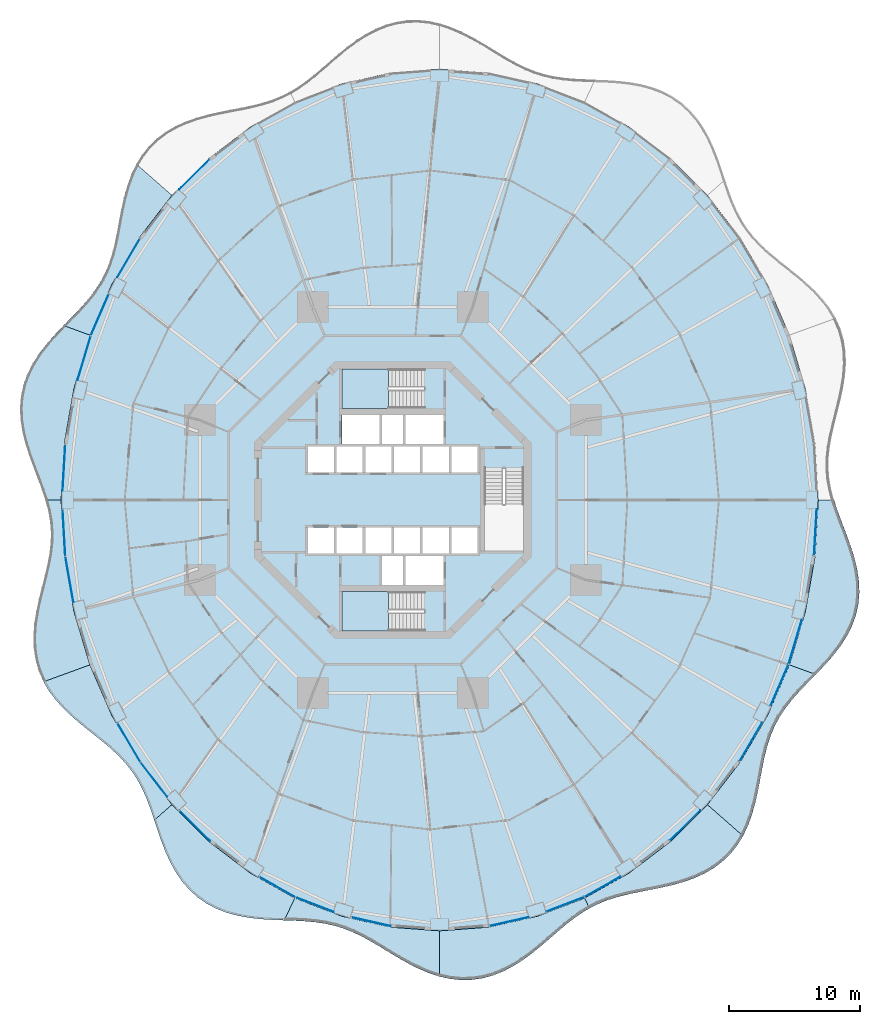
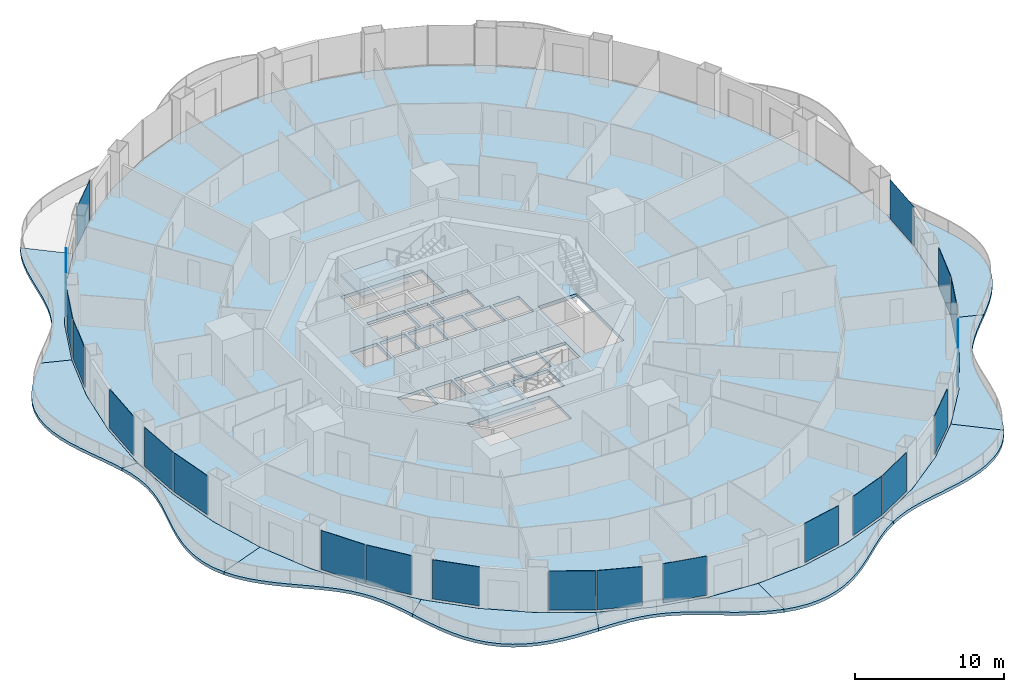
# One storey, part 12 of 22: 21 plates, 13 slabs, 23 elements without a shape of their own.
"""IFC4 building model written with IfcOpenShell, lengths in metres."""

import ifcopenshell
import ifcopenshell.guid

model = None  # the IFC model being written
_history = None  # IfcOwnerHistory: only IFC2X3 demands one
_inside = {}  # id of a spatial element -> (the spatial element, [elements in it])
_under = {}  # id of a project, library or spatial element -> (it, [spatial elements below it])
_declared = {}  # id of a project -> (the project, [libraries it declares])
_typed = {}  # id of a type object -> (the type object, [elements of that type])
_made_of = {}  # id of a material, layer set ... -> (it, [elements and type objects made of it])


def new_model(schema):
    """Start an empty IFC model of exactly this schema.

    Asked for "IFC4X3", IfcOpenShell would pick the latest addendum, in which some entities
    have other attributes; the version numbers below select the first issue.
    IFC2X3 requires an IfcOwnerHistory on every rooted entity: one is made here for all.
    """
    global model, _history
    if schema == "IFC4X3":
        model = ifcopenshell.file(schema_version=(4, 3, 0, 0))
    else:
        model = ifcopenshell.file(schema=schema)
    _inside.clear()
    _under.clear()
    _declared.clear()
    _typed.clear()
    _made_of.clear()
    _history = None
    if model.schema == "IFC2X3":
        org = make("IfcOrganization", Name="unknown")
        user = make(
            "IfcPersonAndOrganization",
            ThePerson=make("IfcPerson", FamilyName="unknown"),
            TheOrganization=org,
        )
        app = make(
            "IfcApplication",
            ApplicationDeveloper=org,
            Version="unknown",
            ApplicationFullName="unknown",
            ApplicationIdentifier="unknown",
        )
        _history = make(
            "IfcOwnerHistory",
            OwningUser=user,
            OwningApplication=app,
            ChangeAction="ADDED",
            CreationDate=0,
        )
    return model


def make(cls, **values):
    """One entity of the class cls with the attributes given. An attribute that is None is left unset."""
    return model.create_entity(
        cls, **{name: value for name, value in values.items() if value is not None}
    )


def rooted(cls, **values):
    """An entity with a GlobalId (a new one), such as an element, a storey or a relation."""
    return make(cls, GlobalId=ifcopenshell.guid.new(), OwnerHistory=_history, **values)


def si_unit(unit_type, name, prefix=None):
    """IfcSIUnit, for example si_unit("LENGTHUNIT", "METRE", prefix="MILLI")."""
    return make("IfcSIUnit", UnitType=unit_type, Prefix=prefix, Name=name)


def assignment(units):
    """IfcUnitAssignment: the units of a project."""
    return None if units is None else make("IfcUnitAssignment", Units=units)


def point(xyz):
    """IfcCartesianPoint."""
    return None if xyz is None else make("IfcCartesianPoint", Coordinates=xyz)


def direction(xyz):
    """IfcDirection."""
    return None if xyz is None else make("IfcDirection", DirectionRatios=xyz)


def frame(location, z_axis=None, x_axis=None):
    """IfcAxis2Placement3D, a coordinate frame: its origin and axes. An axis left out is left unset."""
    return make(
        "IfcAxis2Placement3D",
        Location=point(location),
        Axis=direction(z_axis),
        RefDirection=direction(x_axis),
    )


def frame_2d(location, x_axis=None):
    """IfcAxis2Placement2D, a coordinate frame in the plane: its origin and x axis."""
    return make(
        "IfcAxis2Placement2D", Location=point(location), RefDirection=direction(x_axis)
    )


def origin():
    """The frame at (0, 0, 0) with its axes left unset."""
    return frame((0.0, 0.0, 0.0))


def origin_2d():
    """The frame at (0, 0) in the plane with its x axis left unset."""
    return frame_2d((0.0, 0.0))


def place(relative_to, where):
    """IfcLocalPlacement: puts the frame where relative to a parent placement (None: the world)."""
    return make(
        "IfcLocalPlacement", PlacementRelTo=relative_to, RelativePlacement=where
    )


def context(
    kind, dimensions, precision=None, world=None, true_north=None, identifier=None
):
    """IfcGeometricRepresentationContext, for example the 3D "Model" context."""
    return make(
        "IfcGeometricRepresentationContext",
        ContextIdentifier=identifier,
        ContextType=kind,
        CoordinateSpaceDimension=dimensions,
        Precision=precision,
        WorldCoordinateSystem=world,
        TrueNorth=true_north,
    )


def subcontext(parent, identifier, kind, view, scale=None):
    """IfcGeometricRepresentationSubContext, for example "Body" below "Model"."""
    return make(
        "IfcGeometricRepresentationSubContext",
        ContextIdentifier=identifier,
        ContextType=kind,
        ParentContext=parent,
        TargetScale=scale,
        TargetView=view,
    )


def project(units=None, contexts=None):
    """IfcProject with its units and contexts."""
    return rooted(
        "IfcProject",
        Name="project",
        RepresentationContexts=contexts,
        UnitsInContext=assignment(units),
    )


def spatial(cls, under=None, at=None, **own):
    """A site, building, storey or space (cls), placed at a placement, below another one or the project."""
    s = rooted(cls, ObjectPlacement=at, **own)
    if under is not None:
        _under.setdefault(under.id(), (under, []))[1].append(s)
    return s


def polyline(points):
    """IfcPolyline through the points."""
    return make("IfcPolyline", Points=[point(p) for p in points])


def profile(cls, at=None, kind="AREA", **sizes):
    """A parametric profile (cls). Its sizes go by their IFC names, for example OverallWidth=200.0."""
    return make(cls, ProfileType=kind, Position=at, **sizes)


def rectangle(**sizes):
    """IfcRectangleProfileDef."""
    return profile("IfcRectangleProfileDef", **sizes)


def outline(outer, holes=None, kind="AREA"):
    """IfcArbitraryClosedProfileDef: a profile drawn as a closed curve; with holes, ...WithVoids."""
    if holes is None:
        return make("IfcArbitraryClosedProfileDef", ProfileType=kind, OuterCurve=outer)
    return make(
        "IfcArbitraryProfileDefWithVoids",
        ProfileType=kind,
        OuterCurve=outer,
        InnerCurves=holes,
    )


def extrude(swept, where, along, depth):
    """IfcExtrudedAreaSolid: the profile swept, set in the frame where, extruded along a direction by depth."""
    return make(
        "IfcExtrudedAreaSolid",
        SweptArea=swept,
        Position=where,
        ExtrudedDirection=direction(along),
        Depth=depth,
    )


def shape(context_of_items, identifier, shape_type, items):
    """IfcShapeRepresentation: the items that make up one representation, for example the "Body"."""
    return make(
        "IfcShapeRepresentation",
        ContextOfItems=context_of_items,
        RepresentationIdentifier=identifier,
        RepresentationType=shape_type,
        Items=items,
    )


def material(Name=None, Category=None):
    """IfcMaterial."""
    return make("IfcMaterial", Name=Name, Category=Category)


def layer(
    of_material, thickness, ventilated=None, Name=None, Category=None, Priority=None
):
    """IfcMaterialLayer: one layer of a wall or slab, of a material (None: an air gap)."""
    return make(
        "IfcMaterialLayer",
        Material=of_material,
        LayerThickness=thickness,
        IsVentilated=ventilated,
        Name=Name,
        Category=Category,
        Priority=Priority,
    )


def layer_set(layers, Name=None):
    """IfcMaterialLayerSet."""
    return make("IfcMaterialLayerSet", MaterialLayers=layers, LayerSetName=Name)


def made_of(thing, what):
    """Note that an element or type object is made of a material, layer set ...; save() writes the relation."""
    if what is not None:
        _made_of.setdefault(what.id(), (what, []))[1].append(thing)
    return thing


def type_object(cls, material=None, **own):
    """A type object (cls), such as IfcWallType, which elements share."""
    return made_of(rooted(cls, **own), material)


def element(
    cls,
    number,
    at=None,
    inside=None,
    cuts=None,
    type_object=None,
    material=None,
    context=None,
    identifier="Body",
    shape_type=None,
    held_by="IfcProductDefinitionShape",
    body=None,
    shapes=None,
    **own,
):
    """One element of the class cls, such as IfcWall. Its Tag is "e" and its number.

    at: its placement. inside: the storey or other place that contains it. cuts: it is an
    opening in that element (IfcRelVoidsElement). A single representation is given by context,
    identifier, shape_type and body (its items); several are given by shapes. held_by: the class
    of the entity that holds the representations. save() writes the other relations.
    """
    e = rooted(cls, Tag="e%d" % number, ObjectPlacement=at, **own)
    if body is not None:
        shapes = [shape(context, identifier, shape_type, body)]
    if shapes is not None:
        e.Representation = make(held_by, Representations=shapes)
    if inside is not None:
        _inside.setdefault(inside.id(), (inside, []))[1].append(e)
    if cuts is not None:
        rooted(
            "IfcRelVoidsElement", RelatingBuildingElement=cuts, RelatedOpeningElement=e
        )
    if type_object is not None:
        _typed.setdefault(type_object.id(), (type_object, []))[1].append(e)
    return made_of(e, material)


def aggregate(whole, parts):
    """IfcRelAggregates: a whole, such as a stair, and the parts it consists of."""
    return rooted("IfcRelAggregates", RelatingObject=whole, RelatedObjects=parts)


def save(model, path):
    """Write the relations noted so far, then the file.

    IfcRelAggregates (storeys below a building ...), IfcRelContainedInSpatialStructure (elements
    in a storey), IfcRelDefinesByType, IfcRelAssociatesMaterial and IfcRelDeclares: one each for
    every whole, place, type object, material and project.
    """
    for whole, parts in _under.values():
        aggregate(whole, parts)
    for where, things in _inside.values():
        rooted(
            "IfcRelContainedInSpatialStructure",
            RelatedElements=things,
            RelatingStructure=where,
        )
    for kind, things in _typed.values():
        rooted("IfcRelDefinesByType", RelatedObjects=things, RelatingType=kind)
    for what, things in _made_of.values():
        rooted("IfcRelAssociatesMaterial", RelatedObjects=things, RelatingMaterial=what)
    for by, libraries in _declared.values():
        rooted("IfcRelDeclares", RelatingContext=by, RelatedDefinitions=libraries)
    model.write(path)


model = new_model("IFC4")

# Units and contexts
model_context = context("Model", 3, precision=1e-05, world=origin(), true_north=direction((0.0, 1.0)))
body_context = subcontext(model_context, "Body", "Model", "MODEL_VIEW")
ifc_project = project(units=[si_unit("LENGTHUNIT", "METRE"), si_unit("AREAUNIT", "SQUARE_METRE"), si_unit("VOLUMEUNIT", "CUBIC_METRE"), si_unit("PLANEANGLEUNIT", "RADIAN"), si_unit("MASSUNIT", "GRAM", prefix="KILO")], contexts=[model_context])

# Site, building, storey
site_placement = place(None, origin())
site = spatial("IfcSite", under=ifc_project, at=site_placement, CompositionType="ELEMENT")
building_placement = place(site_placement, origin())
building = spatial("IfcBuilding", under=site, at=building_placement, Name="Nagisa Residences", CompositionType="ELEMENT")
storey_placement = place(building_placement, frame((0.0, 0.0, 64.0)))
storey = spatial("IfcBuildingStorey", under=building, at=storey_placement, Name="L15", CompositionType="ELEMENT", Elevation=64.0)

# Slabs
ifc_material_1 = material(Name="Concrete C40/50", Category="concrete")
ifc_layer_1 = layer(ifc_material_1, 0.25)
ifc_layer_set_1 = layer_set([ifc_layer_1], Name="BALCONY SLAB 250")
slab_type_1 = type_object("IfcSlabType", Name="BALCONY SLAB 250", PredefinedType="FLOOR", material=ifc_layer_set_1)
slab_1_placement = place(storey_placement, frame((0.0, 0.0, -0.25)))
element("IfcSlab", 1, at=slab_1_placement, inside=storey, type_object=slab_type_1, Name="slab:L15:bal06", PredefinedType="FLOOR", context=body_context, shape_type="SweptSolid", body=[
    extrude(outline(polyline([(-19.631591796875, 25.7294921875), (-20.01708984375, 24.917724609375), (-20.3271484375, 24.060791015625), (-20.573974609375, 23.1748046875), (-20.773681640625, 22.276123046875), (-20.9453125, 21.379638671875), (-21.109130859375, 20.499267578125), (-21.28515625, 19.645751953125), (-21.4921875, 18.826904296875), (-21.74658203125, 18.046875), (-22.060302734375, 17.30615234375), (-22.440185546875, 16.60205078125), (-22.888671875, 15.928466796875), (-23.4013671875, 15.277587890625), (-23.968994140625, 14.6396484375), (-24.576904296875, 14.00439453125), (-25.20703125, 13.36181640625), (-23.192626953125, 12.628662109375), (-21.5146484375, 16.5), (-19.4072265625, 20.089111328125), (-16.906005859375, 23.33447265625), (-19.631591796875, 25.7294921875)])), origin(), (0.0, 0.0, 1.0), 0.25),
])
slab_2_placement = place(storey_placement, frame((0.0, 0.0, -0.25)))
element("IfcSlab", 2, at=slab_2_placement, inside=storey, type_object=slab_type_1, Name="slab:L15:bal07", PredefinedType="FLOOR", context=body_context, shape_type="SweptSolid", body=[
    extrude(outline(polyline([(-25.20703125, 13.36181640625), (-25.857421875, 12.68115234375), (-26.483642578125, 11.974365234375), (-27.060302734375, 11.235595703125), (-27.564208984375, 10.462158203125), (-27.975830078125, 9.6533203125), (-28.28076171875, 8.812255859375), (-28.469970703125, 7.943603515625), (-28.5419921875, 7.0537109375), (-28.50146484375, 6.15087890625), (-28.360107421875, 5.242919921875), (-28.13525390625, 4.337158203125), (-27.84912109375, 3.440185546875), (-27.526611328125, 2.556396484375), (-27.1943359375, 1.688720703125), (-26.8779296875, 0.837158203125), (-26.600830078125, 0.0), (-25.39990234375, 0.0), (-25.15185546875, 4.307373046875), (-24.411865234375, 8.541015625), (-23.192626953125, 12.628662109375), (-25.20703125, 13.36181640625)])), origin(), (0.0, 0.0, 1.0), 0.25),
])
slab_3_placement = place(storey_placement, frame((0.0, 0.0, -0.25)))
element("IfcSlab", 3, at=slab_3_placement, inside=storey, type_object=slab_type_1, Name="slab:L15:bal08", PredefinedType="FLOOR", context=body_context, shape_type="SweptSolid", body=[
    extrude(outline(polyline([(-26.600830078125, 0.0), (-26.383056640625, -0.826416015625), (-26.23876953125, -1.647705078125), (-26.17529296875, -2.46923828125), (-26.1943359375, -3.297607421875), (-26.289306640625, -4.137939453125), (-26.447998046875, -4.994873046875), (-26.652099609375, -5.870361328125), (-26.87939453125, -6.764404296875), (-27.104736328125, -7.675048828125), (-27.3017578125, -8.59765625), (-27.4453125, -9.52490234375), (-27.512939453125, -10.448486328125), (-27.486083984375, -11.359130859375), (-27.35205078125, -12.2470703125), (-27.10400390625, -13.103271484375), (-26.741943359375, -13.920654296875), (-23.192626953125, -12.628662109375), (-24.411865234375, -8.541015625), (-25.15185546875, -4.307373046875), (-25.39990234375, 0.0), (-26.600830078125, 0.0)])), origin(), (0.0, 0.0, 1.0), 0.25),
])
slab_4_placement = place(storey_placement, frame((0.0, 0.0, -0.25)))
element("IfcSlab", 4, at=slab_4_placement, inside=storey, type_object=slab_type_1, Name="slab:L15:bal09", PredefinedType="FLOOR", context=body_context, shape_type="SweptSolid", body=[
    extrude(outline(polyline([(-26.741943359375, -13.920654296875), (-26.2890625, -14.670654296875), (-25.747314453125, -15.377197265625), (-25.132568359375, -16.041015625), (-24.464599609375, -16.666015625), (-23.764892578125, -17.258544921875), (-23.055419921875, -17.827880859375), (-22.357421875, -18.38525390625), (-21.68994140625, -18.942626953125), (-21.068359375, -19.51220703125), (-20.503173828125, -20.106201171875), (-20.000244140625, -20.734130859375), (-19.56005859375, -21.40380859375), (-19.17724609375, -22.119140625), (-18.84228515625, -22.88037109375), (-18.541259765625, -23.68408203125), (-18.257568359375, -24.522216796875), (-16.906005859375, -23.33447265625), (-19.4072265625, -20.089111328125), (-21.5146484375, -16.5), (-23.192626953125, -12.628662109375), (-26.741943359375, -13.920654296875)])), origin(), (0.0, 0.0, 1.0), 0.25),
])
slab_5_placement = place(storey_placement, frame((0.0, 0.0, -0.25)))
element("IfcSlab", 5, at=slab_5_placement, inside=storey, type_object=slab_type_1, Name="slab:L15:bal10", PredefinedType="FLOOR", context=body_context, shape_type="SweptSolid", body=[
    extrude(outline(polyline([(-18.257568359375, -24.522216796875), (-17.986328125, -25.342041015625), (-17.69775390625, -26.169921875), (-17.376708984375, -26.990478515625), (-17.009033203125, -27.78857421875), (-16.584228515625, -28.5478515625), (-16.09423828125, -29.25341796875), (-15.53515625, -29.89208984375), (-14.90625, -30.453369140625), (-14.2109375, -30.93017578125), (-13.456298828125, -31.31982421875), (-12.6513671875, -31.62353515625), (-11.807861328125, -31.84716796875), (-10.938720703125, -32.0009765625), (-10.056396484375, -32.09814453125), (-9.173095703125, -32.155029296875), (-8.300048828125, -32.18994140625), (-7.497802734375, -30.488037109375), (-10.89990234375, -28.578857421875), (-14.05419921875, -26.1806640625), (-16.906005859375, -23.33447265625), (-18.257568359375, -24.522216796875)])), origin(), (0.0, 0.0, 1.0), 0.25),
])
slab_6_placement = place(storey_placement, frame((0.0, 0.0, -0.25)))
element("IfcSlab", 6, at=slab_6_placement, inside=storey, type_object=slab_type_1, Name="slab:L15:bal11", PredefinedType="FLOOR", context=body_context, shape_type="SweptSolid", body=[
    extrude(outline(polyline([(-8.300048828125, -32.18994140625), (-7.475830078125, -32.22021484375), (-6.67431640625, -32.26416015625), (-5.898193359375, -32.33642578125), (-5.14794921875, -32.449462890625), (-4.42138671875, -32.613037109375), (-3.714111328125, -32.832275390625), (-3.0205078125, -33.10888671875), (-2.33349609375, -33.439453125), (-1.646240234375, -33.81640625), (-0.95166015625, -34.228759765625), (-0.2431640625, -34.661376953125), (0.4833984375, -35.097412109375), (1.231201171875, -35.517822265625), (2.0009765625, -35.90380859375), (2.791748046875, -36.236328125), (3.60009765625, -36.4990234375), (3.60009765625, -33.0), (-0.185302734375, -32.7177734375), (-3.90576171875, -31.87548828125), (-7.497802734375, -30.488037109375), (-8.300048828125, -32.18994140625)])), origin(), (0.0, 0.0, 1.0), 0.25),
])
slab_7_placement = place(storey_placement, frame((0.0, 0.0, -0.25)))
element("IfcSlab", 7, at=slab_7_placement, inside=storey, type_object=slab_type_1, Name="slab:L15:bal12", PredefinedType="FLOOR", context=body_context, shape_type="SweptSolid", body=[
    extrude(outline(polyline([(3.60009765625, -36.4990234375), (4.420654296875, -36.677734375), (5.247314453125, -36.761962890625), (6.072509765625, -36.74560546875), (6.88916015625, -36.626708984375), (7.690185546875, -36.408203125), (8.468994140625, -36.097412109375), (9.2216796875, -35.705810546875), (9.9453125, -35.247802734375), (10.639404296875, -34.740234375), (11.30615234375, -34.201904296875), (11.94970703125, -33.6513671875), (12.57568359375, -33.10693359375), (13.19189453125, -32.584716796875), (13.806884765625, -32.098388671875), (14.428955078125, -31.658203125), (15.066650390625, -31.270751953125), (14.69775390625, -30.488037109375), (11.105712890625, -31.87548828125), (7.38525390625, -32.7177734375), (3.60009765625, -33.0), (3.60009765625, -36.4990234375)])), origin(), (0.0, 0.0, 1.0), 0.25),
])
slab_8_placement = place(storey_placement, frame((0.0, 0.0, -0.25)))
element("IfcSlab", 8, at=slab_8_placement, inside=storey, type_object=slab_type_1, Name="slab:L15:bal13", PredefinedType="FLOOR", context=body_context, shape_type="SweptSolid", body=[
    extrude(outline(polyline([(15.066650390625, -31.270751953125), (15.752685546875, -30.9267578125), (16.46923828125, -30.639404296875), (17.2197265625, -30.402099609375), (18.00439453125, -30.204345703125), (18.820556640625, -30.031982421875), (19.661865234375, -29.869140625), (20.518798828125, -29.698486328125), (21.380126953125, -29.503173828125), (22.231689453125, -29.26708984375), (23.0595703125, -28.9765625), (23.848876953125, -28.6201171875), (24.586181640625, -28.19091796875), (25.260009765625, -27.684814453125), (25.86181640625, -27.1025390625), (26.385986328125, -26.4482421875), (26.83154296875, -25.7294921875), (24.106201171875, -23.33447265625), (21.254150390625, -26.1806640625), (18.10009765625, -28.578857421875), (14.69775390625, -30.488037109375), (15.066650390625, -31.270751953125)])), origin(), (0.0, 0.0, 1.0), 0.25),
])
slab_9_placement = place(storey_placement, frame((0.0, 0.0, -0.25)))
element("IfcSlab", 9, at=slab_9_placement, inside=storey, type_object=slab_type_1, Name="slab:L15:bal14", PredefinedType="FLOOR", context=body_context, shape_type="SweptSolid", body=[
    extrude(outline(polyline([(26.83154296875, -25.7294921875), (27.21728515625, -24.917724609375), (27.527099609375, -24.060791015625), (27.77392578125, -23.1748046875), (27.9736328125, -22.276123046875), (28.145263671875, -21.379638671875), (28.30908203125, -20.499267578125), (28.485107421875, -19.645751953125), (28.692138671875, -18.826904296875), (28.946533203125, -18.046875), (29.26025390625, -17.30615234375), (29.640380859375, -16.60205078125), (30.088623046875, -15.928466796875), (30.601318359375, -15.277587890625), (31.1689453125, -14.6396484375), (31.77685546875, -14.00439453125), (32.406982421875, -13.36181640625), (30.392578125, -12.628662109375), (28.71484375, -16.5), (26.607177734375, -20.089111328125), (24.106201171875, -23.33447265625), (26.83154296875, -25.7294921875)])), origin(), (0.0, 0.0, 1.0), 0.25),
])
slab_10_placement = place(storey_placement, frame((0.0, 0.0, -0.25)))
element("IfcSlab", 10, at=slab_10_placement, inside=storey, type_object=slab_type_1, Name="slab:L15:bal15", PredefinedType="FLOOR", context=body_context, shape_type="SweptSolid", body=[
    extrude(outline(polyline([(32.406982421875, -13.36181640625), (33.0576171875, -12.68115234375), (33.68359375, -11.974365234375), (34.26025390625, -11.235595703125), (34.76416015625, -10.462158203125), (35.17578125, -9.6533203125), (35.480712890625, -8.812255859375), (35.669921875, -7.943603515625), (35.741943359375, -7.0537109375), (35.701416015625, -6.15087890625), (35.56005859375, -5.242919921875), (35.33544921875, -4.337158203125), (35.04931640625, -3.440185546875), (34.726806640625, -2.556396484375), (34.394287109375, -1.688720703125), (34.077880859375, -0.837158203125), (33.801025390625, 0.0), (32.60009765625, 0.0), (32.351806640625, -4.307373046875), (31.61181640625, -8.541015625), (30.392578125, -12.628662109375), (32.406982421875, -13.36181640625)])), origin(), (0.0, 0.0, 1.0), 0.25),
])

# Curtain wall, plate
ifc_material_2 = material(Name="Concrete-coloured aluminium curtain wall system", Category="concrete")
ifc_layer_2 = layer(ifc_material_2, 0.159912109375)
ifc_layer_set_2 = layer_set([ifc_layer_2], Name="CW1 CURTAIN WALL")
curtain_wall_type = type_object("IfcCurtainWallType", Name="CW1 CURTAIN WALL", PredefinedType="NOTDEFINED", material=ifc_layer_set_2)
curtain_wall_1_placement = place(storey_placement, origin())
curtain_wall_1 = element("IfcCurtainWall", 11, at=curtain_wall_1_placement, inside=storey, type_object=curtain_wall_type, Name="cw:CW1:L15:17", PredefinedType="NOTDEFINED")
ifc_material_3 = material(Name="Clear laminated glass", Category="glass")
ifc_layer_3 = layer(ifc_material_3, 0.028076171875)
ifc_layer_set_3 = layer_set([ifc_layer_3], Name="CW1 GLASS PANEL")
plate_type = type_object("IfcPlateType", Name="CW1 GLASS PANEL", PredefinedType="CURTAIN_PANEL", material=ifc_layer_set_3)
plate_1_placement = place(storey_placement, frame((-15.197021484375, 24.927001953125, 0.14990234375), z_axis=(0.0, 0.0, 1.0), x_axis=(-0.707835924016, -0.706376885714, 0.0)))
plate_1 = element("IfcPlate", 12, at=plate_1_placement, type_object=plate_type, Name="CW1 panel", PredefinedType="CURTAIN_PANEL", context=body_context, shape_type="SweptSolid", body=[
    extrude(rectangle(XDim=3.269287109375, YDim=0.028076171875, at=origin_2d()), origin(), (0.0, 0.0, 1.0), 3.199951171875),
])
aggregate(curtain_wall_1, [plate_1])

curtain_wall_2_placement = place(storey_placement, origin())
curtain_wall_2 = element("IfcCurtainWall", 13, at=curtain_wall_2_placement, inside=storey, type_object=curtain_wall_type, Name="cw:CW1:L15:19", PredefinedType="NOTDEFINED")
plate_2_placement = place(storey_placement, frame((-20.22998046875, 18.530029296875, 0.14990234375), z_axis=(0.0, 0.0, 1.0), x_axis=(-0.506348567002, -0.862328898214, 0.0)))
plate_2 = element("IfcPlate", 14, at=plate_2_placement, type_object=plate_type, Name="CW1 panel", PredefinedType="CURTAIN_PANEL", context=body_context, shape_type="SweptSolid", body=[
    extrude(rectangle(XDim=3.402099609375, YDim=0.028076171875, at=origin_2d()), origin(), (0.0, 0.0, 1.0), 3.199951171875),
])
aggregate(curtain_wall_2, [plate_2])

curtain_wall_3_placement = place(storey_placement, origin())
curtain_wall_3 = element("IfcCurtainWall", 15, at=curtain_wall_3_placement, inside=storey, type_object=curtain_wall_type, Name="cw:CW1:L15:20", PredefinedType="NOTDEFINED")
plate_3_placement = place(storey_placement, frame((-22.431396484375, 14.183837890625, 0.14990234375), z_axis=(0.0, 0.0, 1.0), x_axis=(-0.397635934147, -0.917543276295, 0.0)))
plate_3 = element("IfcPlate", 16, at=plate_3_placement, type_object=plate_type, Name="CW1 panel", PredefinedType="CURTAIN_PANEL", context=body_context, shape_type="SweptSolid", body=[
    extrude(rectangle(XDim=3.45947265625, YDim=0.028076171875, at=origin_2d()), origin(), (0.0, 0.0, 1.0), 3.199951171875),
])
aggregate(curtain_wall_3, [plate_3])

curtain_wall_4_placement = place(storey_placement, origin())
curtain_wall_4 = element("IfcCurtainWall", 17, at=curtain_wall_4_placement, inside=storey, type_object=curtain_wall_type, Name="cw:CW1:L15:21", PredefinedType="NOTDEFINED")
plate_4_placement = place(storey_placement, frame((-23.634033203125, 10.86865234375, 0.14990234375), z_axis=(0.0, 0.0, 1.0), x_axis=(-0.285860274038, -0.958271310082, 0.0)))
plate_4 = element("IfcPlate", 18, at=plate_4_placement, type_object=plate_type, Name="CW1 panel", PredefinedType="CURTAIN_PANEL", context=body_context, shape_type="SweptSolid", body=[
    extrude(rectangle(XDim=3.505615234375, YDim=0.028076171875, at=origin_2d()), origin(), (0.0, 0.0, 1.0), 3.199951171875),
])
aggregate(curtain_wall_4, [plate_4])

curtain_wall_5_placement = place(storey_placement, origin())
curtain_wall_5 = element("IfcCurtainWall", 19, at=curtain_wall_5_placement, inside=storey, type_object=curtain_wall_type, Name="cw:CW1:L15:23", PredefinedType="NOTDEFINED")
plate_5_placement = place(storey_placement, frame((-25.177734375, 2.468505859375, 0.14990234375), z_axis=(0.0, 0.0, 1.0), x_axis=(-0.057503492216, -0.998345305184, 0.0)))
plate_5 = element("IfcPlate", 20, at=plate_5_placement, type_object=plate_type, Name="CW1 panel", PredefinedType="CURTAIN_PANEL", context=body_context, shape_type="SweptSolid", body=[
    extrude(rectangle(XDim=3.554443359375, YDim=0.028076171875, at=origin_2d()), origin(), (0.0, 0.0, 1.0), 3.199951171875),
])
aggregate(curtain_wall_5, [plate_5])

curtain_wall_6_placement = place(storey_placement, origin())
curtain_wall_6 = element("IfcCurtainWall", 21, at=curtain_wall_6_placement, inside=storey, type_object=curtain_wall_type, Name="cw:CW1:L15:24", PredefinedType="NOTDEFINED")
plate_6_placement = place(storey_placement, frame((-25.17431640625, -2.528564453125, 0.14990234375), z_axis=(0.0, 0.0, 1.0), x_axis=(0.057503492216, -0.998345305184, 0.0)))
plate_6 = element("IfcPlate", 22, at=plate_6_placement, type_object=plate_type, Name="CW1 panel", PredefinedType="CURTAIN_PANEL", context=body_context, shape_type="SweptSolid", body=[
    extrude(rectangle(XDim=3.554443359375, YDim=0.028076171875, at=origin_2d()), origin(), (0.0, 0.0, 1.0), 3.199951171875),
])
aggregate(curtain_wall_6, [plate_6])

curtain_wall_7_placement = place(storey_placement, origin())
curtain_wall_7 = element("IfcCurtainWall", 23, at=curtain_wall_7_placement, inside=storey, type_object=curtain_wall_type, Name="cw:CW1:L15:25", PredefinedType="NOTDEFINED")
plate_7_placement = place(storey_placement, frame((-24.758056640625, -6.09521484375, 0.14990234375), z_axis=(0.0, 0.0, 1.0), x_axis=(0.172190868898, -0.985063604377, 0.0)))
plate_7 = element("IfcPlate", 24, at=plate_7_placement, type_object=plate_type, Name="CW1 panel", PredefinedType="CURTAIN_PANEL", context=body_context, shape_type="SweptSolid", body=[
    extrude(rectangle(XDim=3.537841796875, YDim=0.028076171875, at=origin_2d()), origin(), (0.0, 0.0, 1.0), 3.199951171875),
])
aggregate(curtain_wall_7, [plate_7])

curtain_wall_8_placement = place(storey_placement, origin())
curtain_wall_8 = element("IfcCurtainWall", 25, at=curtain_wall_8_placement, inside=storey, type_object=curtain_wall_type, Name="cw:CW1:L15:28", PredefinedType="NOTDEFINED")
plate_8_placement = place(storey_placement, frame((-20.19970703125, -18.581787109375, 0.14990234375), z_axis=(0.0, 0.0, 1.0), x_axis=(0.506348567002, -0.862328898214, 0.0)))
plate_8 = element("IfcPlate", 26, at=plate_8_placement, type_object=plate_type, Name="CW1 panel", PredefinedType="CURTAIN_PANEL", context=body_context, shape_type="SweptSolid", body=[
    extrude(rectangle(XDim=3.402099609375, YDim=0.028076171875, at=origin_2d()), origin(), (0.0, 0.0, 1.0), 3.199951171875),
])
aggregate(curtain_wall_8, [plate_8])

curtain_wall_9_placement = place(storey_placement, origin())
curtain_wall_9 = element("IfcCurtainWall", 27, at=curtain_wall_9_placement, inside=storey, type_object=curtain_wall_type, Name="cw:CW1:L15:29", PredefinedType="NOTDEFINED")
plate_9_placement = place(storey_placement, frame((-18.28857421875, -21.409423828125, 0.14990234375), z_axis=(0.0, 0.0, 1.0), x_axis=(0.610429828235, -0.792070340816, 0.0)))
plate_9 = element("IfcPlate", 28, at=plate_9_placement, type_object=plate_type, Name="CW1 panel", PredefinedType="CURTAIN_PANEL", context=body_context, shape_type="SweptSolid", body=[
    extrude(rectangle(XDim=3.33740234375, YDim=0.028076171875, at=origin_2d()), origin(), (0.0, 0.0, 1.0), 3.199951171875),
])
aggregate(curtain_wall_9, [plate_9])

curtain_wall_10_placement = place(storey_placement, origin())
curtain_wall_10 = element("IfcCurtainWall", 29, at=curtain_wall_10_placement, inside=storey, type_object=curtain_wall_type, Name="cw:CW1:L15:30", PredefinedType="NOTDEFINED")
plate_10_placement = place(storey_placement, frame((-15.154541015625, -24.969482421875, 0.14990234375), z_axis=(0.0, 0.0, 1.0), x_axis=(0.707835924016, -0.706376885714, 0.0)))
plate_10 = element("IfcPlate", 30, at=plate_10_placement, type_object=plate_type, Name="CW1 panel", PredefinedType="CURTAIN_PANEL", context=body_context, shape_type="SweptSolid", body=[
    extrude(rectangle(XDim=3.269287109375, YDim=0.028076171875, at=origin_2d()), origin(), (0.0, 0.0, 1.0), 3.199951171875),
])
aggregate(curtain_wall_10, [plate_10])

curtain_wall_11_placement = place(storey_placement, origin())
curtain_wall_11 = element("IfcCurtainWall", 31, at=curtain_wall_11_placement, inside=storey, type_object=curtain_wall_type, Name="cw:CW1:L15:32", PredefinedType="NOTDEFINED")
plate_11_placement = place(storey_placement, frame((-8.828369140625, -29.649658203125, 0.14990234375), z_axis=(0.0, 0.0, 1.0), x_axis=(0.872072377523, -0.489376918501, 0.0)))
plate_11 = element("IfcPlate", 32, at=plate_11_placement, type_object=plate_type, Name="CW1 panel", PredefinedType="CURTAIN_PANEL", context=body_context, shape_type="SweptSolid", body=[
    extrude(rectangle(XDim=3.141357421875, YDim=0.028076171875, at=origin_2d()), origin(), (0.0, 0.0, 1.0), 3.199951171875),
])
aggregate(curtain_wall_11, [plate_11])

curtain_wall_12_placement = place(storey_placement, origin())
curtain_wall_12 = element("IfcCurtainWall", 33, at=curtain_wall_12_placement, inside=storey, type_object=curtain_wall_type, Name="cw:CW1:L15:33", PredefinedType="NOTDEFINED")
plate_12_placement = place(storey_placement, frame((-5.971435546875, -30.991943359375, 0.14990234375), z_axis=(0.0, 0.0, 1.0), x_axis=(0.932825759707, -0.360327770268, 0.0)))
plate_12 = element("IfcPlate", 34, at=plate_12_placement, type_object=plate_type, Name="CW1 panel", PredefinedType="CURTAIN_PANEL", context=body_context, shape_type="SweptSolid", body=[
    extrude(rectangle(XDim=3.0908203125, YDim=0.028076171875, at=origin_2d()), origin(), (0.0, 0.0, 1.0), 3.199951171875),
])
aggregate(curtain_wall_12, [plate_12])

curtain_wall_13_placement = place(storey_placement, origin())
curtain_wall_13 = element("IfcCurtainWall", 35, at=curtain_wall_13_placement, inside=storey, type_object=curtain_wall_type, Name="cw:CW1:L15:34", PredefinedType="NOTDEFINED")
plate_13_placement = place(storey_placement, frame((-1.6572265625, -32.302490234375, 0.14990234375), z_axis=(0.0, 0.0, 1.0), x_axis=(0.975327274089, -0.2207639201, 0.0)))
plate_13 = element("IfcPlate", 36, at=plate_13_placement, type_object=plate_type, Name="CW1 panel", PredefinedType="CURTAIN_PANEL", context=body_context, shape_type="SweptSolid", body=[
    extrude(rectangle(XDim=3.0546875, YDim=0.028076171875, at=origin_2d()), origin(), (0.0, 0.0, 1.0), 3.199951171875),
])
aggregate(curtain_wall_13, [plate_13])

curtain_wall_14_placement = place(storey_placement, origin())
curtain_wall_14 = element("IfcCurtainWall", 37, at=curtain_wall_14_placement, inside=storey, type_object=curtain_wall_type, Name="cw:CW1:L15:37", PredefinedType="NOTDEFINED")
plate_14_placement = place(storey_placement, frame((8.915771484375, -32.289306640625, 0.14990234375), z_axis=(0.0, 0.0, 1.0), x_axis=(0.975327274089, 0.2207639201, 0.0)))
plate_14 = element("IfcPlate", 38, at=plate_14_placement, type_object=plate_type, Name="CW1 panel", PredefinedType="CURTAIN_PANEL", context=body_context, shape_type="SweptSolid", body=[
    extrude(rectangle(XDim=3.0546875, YDim=0.028076171875, at=origin_2d()), origin(), (0.0, 0.0, 1.0), 3.199951171875),
])
aggregate(curtain_wall_14, [plate_14])

curtain_wall_15_placement = place(storey_placement, origin())
curtain_wall_15 = element("IfcCurtainWall", 39, at=curtain_wall_15_placement, inside=storey, type_object=curtain_wall_type, Name="cw:CW1:L15:38", PredefinedType="NOTDEFINED")
plate_15_placement = place(storey_placement, frame((13.2275390625, -30.97021484375, 0.14990234375), z_axis=(0.0, 0.0, 1.0), x_axis=(0.932825759707, 0.360327770268, 0.0)))
plate_15 = element("IfcPlate", 40, at=plate_15_placement, type_object=plate_type, Name="CW1 panel", PredefinedType="CURTAIN_PANEL", context=body_context, shape_type="SweptSolid", body=[
    extrude(rectangle(XDim=3.0908203125, YDim=0.028076171875, at=origin_2d()), origin(), (0.0, 0.0, 1.0), 3.199951171875),
])
aggregate(curtain_wall_15, [plate_15])

curtain_wall_16_placement = place(storey_placement, origin())
curtain_wall_16 = element("IfcCurtainWall", 41, at=curtain_wall_16_placement, inside=storey, type_object=curtain_wall_type, Name="cw:CW1:L15:39", PredefinedType="NOTDEFINED")
plate_16_placement = place(storey_placement, frame((16.080810546875, -29.620361328125, 0.14990234375), z_axis=(0.0, 0.0, 1.0), x_axis=(0.872072377523, 0.489376918501, 0.0)))
plate_16 = element("IfcPlate", 42, at=plate_16_placement, type_object=plate_type, Name="CW1 panel", PredefinedType="CURTAIN_PANEL", context=body_context, shape_type="SweptSolid", body=[
    extrude(rectangle(XDim=3.141357421875, YDim=0.028076171875, at=origin_2d()), origin(), (0.0, 0.0, 1.0), 3.199951171875),
])
aggregate(curtain_wall_16, [plate_16])

curtain_wall_17_placement = place(storey_placement, origin())
curtain_wall_17 = element("IfcCurtainWall", 43, at=curtain_wall_17_placement, inside=storey, type_object=curtain_wall_type, Name="cw:CW1:L15:41", PredefinedType="NOTDEFINED")
plate_17_placement = place(storey_placement, frame((22.39697265625, -24.927001953125, 0.14990234375), z_axis=(0.0, 0.0, 1.0), x_axis=(0.707835924016, 0.706376885714, 0.0)))
plate_17 = element("IfcPlate", 44, at=plate_17_placement, type_object=plate_type, Name="CW1 panel", PredefinedType="CURTAIN_PANEL", context=body_context, shape_type="SweptSolid", body=[
    extrude(rectangle(XDim=3.269287109375, YDim=0.028076171875, at=origin_2d()), origin(), (0.0, 0.0, 1.0), 3.199951171875),
])
aggregate(curtain_wall_17, [plate_17])

curtain_wall_18_placement = place(storey_placement, origin())
curtain_wall_18 = element("IfcCurtainWall", 45, at=curtain_wall_18_placement, inside=storey, type_object=curtain_wall_type, Name="cw:CW1:L15:43", PredefinedType="NOTDEFINED")
plate_18_placement = place(storey_placement, frame((27.429931640625, -18.530029296875, 0.14990234375), z_axis=(0.0, 0.0, 1.0), x_axis=(0.506348567002, 0.862328898214, 0.0)))
plate_18 = element("IfcPlate", 46, at=plate_18_placement, type_object=plate_type, Name="CW1 panel", PredefinedType="CURTAIN_PANEL", context=body_context, shape_type="SweptSolid", body=[
    extrude(rectangle(XDim=3.402099609375, YDim=0.028076171875, at=origin_2d()), origin(), (0.0, 0.0, 1.0), 3.199951171875),
])
aggregate(curtain_wall_18, [plate_18])

curtain_wall_19_placement = place(storey_placement, origin())
curtain_wall_19 = element("IfcCurtainWall", 47, at=curtain_wall_19_placement, inside=storey, type_object=curtain_wall_type, Name="cw:CW1:L15:44", PredefinedType="NOTDEFINED")
plate_19_placement = place(storey_placement, frame((29.63134765625, -14.183837890625, 0.14990234375), z_axis=(0.0, 0.0, 1.0), x_axis=(0.397635934147, 0.917543276295, 0.0)))
plate_19 = element("IfcPlate", 48, at=plate_19_placement, type_object=plate_type, Name="CW1 panel", PredefinedType="CURTAIN_PANEL", context=body_context, shape_type="SweptSolid", body=[
    extrude(rectangle(XDim=3.45947265625, YDim=0.028076171875, at=origin_2d()), origin(), (0.0, 0.0, 1.0), 3.199951171875),
])
aggregate(curtain_wall_19, [plate_19])

curtain_wall_20_placement = place(storey_placement, origin())
curtain_wall_20 = element("IfcCurtainWall", 49, at=curtain_wall_20_placement, inside=storey, type_object=curtain_wall_type, Name="cw:CW1:L15:45", PredefinedType="NOTDEFINED")
plate_20_placement = place(storey_placement, frame((30.833984375, -10.86865234375, 0.14990234375), z_axis=(0.0, 0.0, 1.0), x_axis=(0.285860274038, 0.958271310082, 0.0)))
plate_20 = element("IfcPlate", 50, at=plate_20_placement, type_object=plate_type, Name="CW1 panel", PredefinedType="CURTAIN_PANEL", context=body_context, shape_type="SweptSolid", body=[
    extrude(rectangle(XDim=3.505615234375, YDim=0.028076171875, at=origin_2d()), origin(), (0.0, 0.0, 1.0), 3.199951171875),
])
aggregate(curtain_wall_20, [plate_20])

curtain_wall_21_placement = place(storey_placement, origin())
curtain_wall_21 = element("IfcCurtainWall", 51, at=curtain_wall_21_placement, inside=storey, type_object=curtain_wall_type, Name="cw:CW1:L15:47", PredefinedType="NOTDEFINED")
plate_21_placement = place(storey_placement, frame((32.377685546875, -2.468505859375, 0.14990234375), z_axis=(0.0, 0.0, 1.0), x_axis=(0.057503492216, 0.998345305184, 0.0)))
plate_21 = element("IfcPlate", 52, at=plate_21_placement, type_object=plate_type, Name="CW1 panel", PredefinedType="CURTAIN_PANEL", context=body_context, shape_type="SweptSolid", body=[
    extrude(rectangle(XDim=3.554443359375, YDim=0.028076171875, at=origin_2d()), origin(), (0.0, 0.0, 1.0), 3.199951171875),
])
aggregate(curtain_wall_21, [plate_21])

# Slab
ifc_material_4 = material(Name="Concrete C40", Category="concrete")
ifc_layer_4 = layer(ifc_material_4, 0.260009765625)
ifc_layer_set_4 = layer_set([ifc_layer_4], Name="Floor slab 260")
slab_type_2 = type_object("IfcSlabType", Name="Floor slab 260", PredefinedType="FLOOR", material=ifc_layer_set_4)
slab_11_placement = place(storey_placement, frame((0.0, 0.0, -0.260009765625)))
element("IfcSlab", 53, at=slab_11_placement, inside=storey, type_object=slab_type_2, Name="slab:L15:floor", PredefinedType="FLOOR", context=body_context, shape_type="SweptSolid", body=[
    extrude(outline(polyline([(32.60009765625, 0.0), (32.351806640625, 4.307373046875), (31.61181640625, 8.541015625), (30.392578125, 12.628662109375), (28.71484375, 16.5), (26.607177734375, 20.089111328125), (24.106201171875, 23.33447265625), (21.254150390625, 26.1806640625), (18.10009765625, 28.578857421875), (14.69775390625, 30.488037109375), (11.105712890625, 31.87548828125), (7.38525390625, 32.7177734375), (3.60009765625, 33.0), (-0.185302734375, 32.7177734375), (-3.90576171875, 31.87548828125), (-7.497802734375, 30.488037109375), (-10.89990234375, 28.578857421875), (-14.05419921875, 26.1806640625), (-16.906005859375, 23.33447265625), (-19.4072265625, 20.089111328125), (-21.5146484375, 16.5), (-23.192626953125, 12.628662109375), (-24.411865234375, 8.541015625), (-25.15185546875, 4.307373046875), (-25.39990234375, 0.0), (-25.15185546875, -4.307373046875), (-24.411865234375, -8.541015625), (-23.192626953125, -12.628662109375), (-21.5146484375, -16.5), (-19.4072265625, -20.089111328125), (-16.906005859375, -23.33447265625), (-14.05419921875, -26.1806640625), (-10.89990234375, -28.578857421875), (-7.497802734375, -30.488037109375), (-3.90576171875, -31.87548828125), (-0.185302734375, -32.7177734375), (3.60009765625, -33.0), (7.38525390625, -32.7177734375), (11.105712890625, -31.87548828125), (14.69775390625, -30.488037109375), (18.10009765625, -28.578857421875), (21.254150390625, -26.1806640625), (24.106201171875, -23.33447265625), (26.607177734375, -20.089111328125), (28.71484375, -16.5), (30.392578125, -12.628662109375), (31.61181640625, -8.541015625), (32.351806640625, -4.307373046875), (32.60009765625, 0.0)]), holes=[polyline([(-4.5, 2.10009765625), (-4.5, 4.10009765625), (-6.5, 4.10009765625), (-6.5, 2.10009765625), (-4.5, 2.10009765625)]), polyline([(-2.300048828125, 2.10009765625), (-2.300048828125, 4.10009765625), (-4.300048828125, 4.10009765625), (-4.300048828125, 2.10009765625), (-2.300048828125, 2.10009765625)]), polyline([(-0.10009765625, 2.10009765625), (-0.10009765625, 4.10009765625), (-2.10009765625, 4.10009765625), (-2.10009765625, 2.10009765625), (-0.10009765625, 2.10009765625)]), polyline([(2.10009765625, 2.10009765625), (2.10009765625, 4.10009765625), (0.10009765625, 4.10009765625), (0.10009765625, 2.10009765625), (2.10009765625, 2.10009765625)]), polyline([(4.300048828125, 2.10009765625), (4.300048828125, 4.10009765625), (2.300048828125, 4.10009765625), (2.300048828125, 2.10009765625), (4.300048828125, 2.10009765625)]), polyline([(6.5, 2.10009765625), (6.5, 4.10009765625), (4.5, 4.10009765625), (4.5, 2.10009765625), (6.5, 2.10009765625)]), polyline([(-4.5, -4.10009765625), (-4.5, -2.10009765625), (-6.5, -2.10009765625), (-6.5, -4.10009765625), (-4.5, -4.10009765625)]), polyline([(-2.300048828125, -4.10009765625), (-2.300048828125, -2.10009765625), (-4.300048828125, -2.10009765625), (-4.300048828125, -4.10009765625), (-2.300048828125, -4.10009765625)]), polyline([(-0.10009765625, -4.10009765625), (-0.10009765625, -2.10009765625), (-2.10009765625, -2.10009765625), (-2.10009765625, -4.10009765625), (-0.10009765625, -4.10009765625)]), polyline([(2.10009765625, -4.10009765625), (2.10009765625, -2.10009765625), (0.10009765625, -2.10009765625), (0.10009765625, -4.10009765625), (2.10009765625, -4.10009765625)]), polyline([(4.300048828125, -4.10009765625), (4.300048828125, -2.10009765625), (2.300048828125, -2.10009765625), (2.300048828125, -4.10009765625), (4.300048828125, -4.10009765625)]), polyline([(6.5, -4.10009765625), (6.5, -2.10009765625), (4.5, -2.10009765625), (4.5, -4.10009765625), (6.5, -4.10009765625)]), polyline([(3.89990234375, 4.300048828125), (3.89990234375, 6.5), (1.0, 6.5), (1.0, 4.300048828125), (3.89990234375, 4.300048828125)]), polyline([(3.89990234375, -6.5), (3.89990234375, -4.300048828125), (1.0, -4.300048828125), (1.0, -6.5), (3.89990234375, -6.5)]), polyline([(-1.0, 4.300048828125), (-1.0, 6.5), (-3.89990234375, 6.5), (-3.89990234375, 4.300048828125), (-1.0, 4.300048828125)]), polyline([(0.800048828125, 4.300048828125), (0.800048828125, 6.5), (-0.800048828125, 6.5), (-0.800048828125, 4.300048828125), (0.800048828125, 4.300048828125)]), polyline([(0.800048828125, -6.5), (0.800048828125, -4.300048828125), (-0.800048828125, -4.300048828125), (-0.800048828125, -6.5), (0.800048828125, -6.5)]), polyline([(10.024658203125, -3.89990234375), (7.024658203125, -3.89990234375), (7.024658203125, 2.425048828125), (10.024658203125, 2.425048828125), (10.024658203125, -3.89990234375)]), polyline([(-3.89990234375, 7.024658203125), (-3.89990234375, 10.024658203125), (2.425048828125, 10.024658203125), (2.425048828125, 7.024658203125), (-3.89990234375, 7.024658203125)]), polyline([(-3.89990234375, -10.024658203125), (-3.89990234375, -7.024658203125), (2.425048828125, -7.024658203125), (2.425048828125, -10.024658203125), (-3.89990234375, -10.024658203125)])]), origin(), (0.0, 0.0, 1.0), 0.260009765625),
])

# Stair, slab
ifc_material_5 = material(Name="Concrete C60", Category="concrete")
stair_type = type_object("IfcStairType", Name="Exit stair", PredefinedType="HALF_TURN_STAIR", material=ifc_material_5)
stair_1_placement = place(storey_placement, origin())
stair_1 = element("IfcStair", 54, at=stair_1_placement, inside=storey, type_object=stair_type, Name="L15 Exit stair N", PredefinedType="HALF_TURN_STAIR")
ifc_material_6 = material(Name="Concrete C60", Category="concrete")
ifc_layer_5 = layer(ifc_material_6, 0.199951171875)
ifc_layer_set_5 = layer_set([ifc_layer_5], Name="Stair landing")
slab_type_3 = type_object("IfcSlabType", Name="Stair landing", PredefinedType="LANDING", material=ifc_layer_set_5)
slab_12_placement = place(storey_placement, frame((0.0, 0.0, 1.64990234375)))
slab_12 = element("IfcSlab", 55, at=slab_12_placement, type_object=slab_type_3, Name="ST-N landing 1", PredefinedType="LANDING", context=body_context, shape_type="SweptSolid", body=[
    extrude(outline(polyline([(-0.324951171875, 10.024658203125), (-3.89990234375, 10.024658203125), (-3.89990234375, 7.024658203125), (-0.324951171875, 7.024658203125), (-0.324951171875, 10.024658203125)])), origin(), (0.0, 0.0, 1.0), 0.2001953125),
])
aggregate(stair_1, [slab_12])

stair_2_placement = place(storey_placement, origin())
stair_2 = element("IfcStair", 56, at=stair_2_placement, inside=storey, type_object=stair_type, Name="L15 Exit stair S", PredefinedType="HALF_TURN_STAIR")
slab_13_placement = place(storey_placement, frame((0.0, 0.0, 1.64990234375)))
slab_13 = element("IfcSlab", 57, at=slab_13_placement, type_object=slab_type_3, Name="ST-S landing 1", PredefinedType="LANDING", context=body_context, shape_type="SweptSolid", body=[
    extrude(outline(polyline([(-0.324951171875, -7.024658203125), (-3.89990234375, -7.024658203125), (-3.89990234375, -10.024658203125), (-0.324951171875, -10.024658203125), (-0.324951171875, -7.024658203125)])), origin(), (0.0, 0.0, 1.0), 0.2001953125),
])
aggregate(stair_2, [slab_13])

save(model, "model.ifc")
